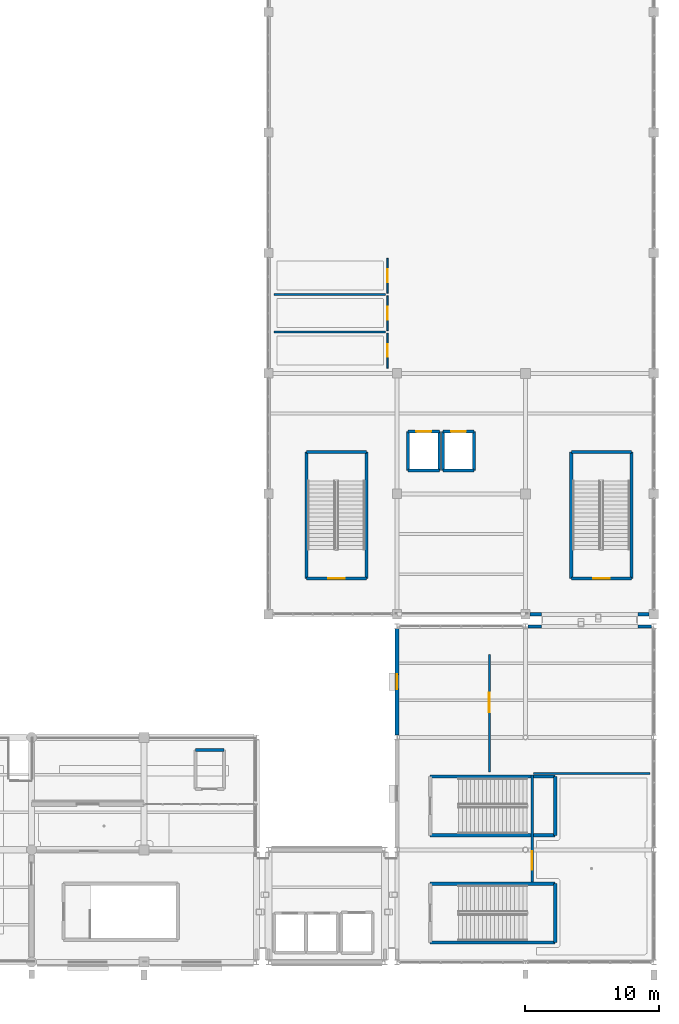
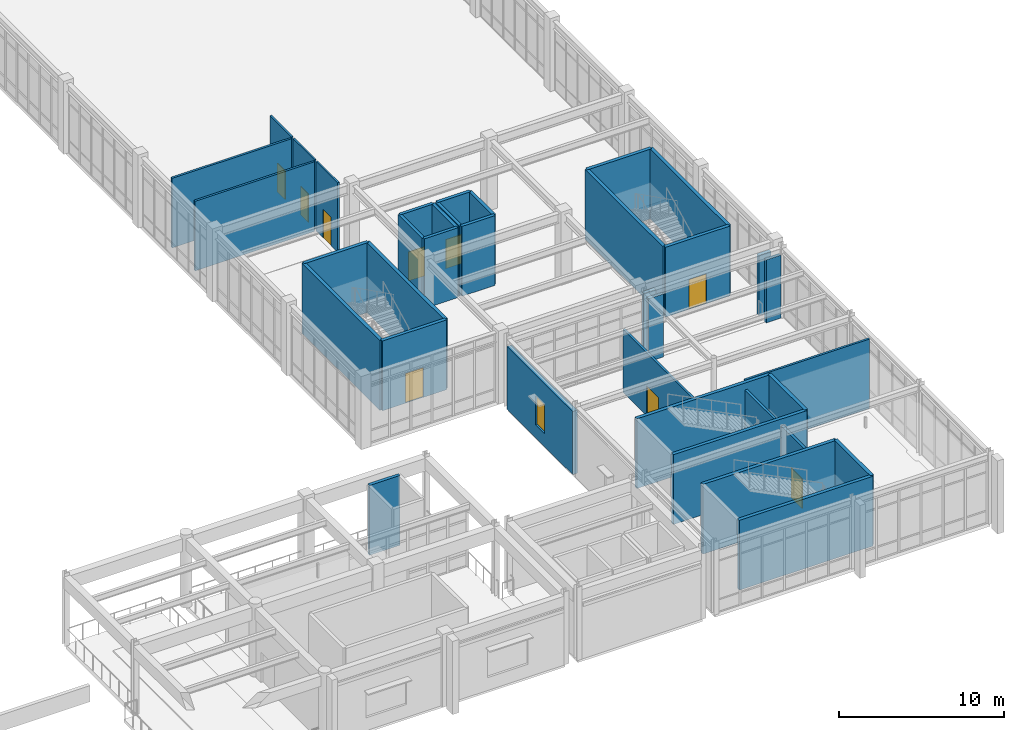
# One storey, part 66 of 80: 36 walls, 9 doors, 1 window, 10 openings.
"""IFC4 building model written with IfcOpenShell, lengths in metres."""

from ifc_helpers import new_model, si_unit, direction, frame, frame_2d, origin, place, context, subcontext, project, spatial, rectangle, extrude, material, layer, layer_set, type_object, element, fill, save


model = new_model("IFC4")

# Units and contexts
model_context = context("Model", 3, precision=1e-05, world=origin(), true_north=direction((0.0, 1.0)))
body_context = subcontext(model_context, "Body", "Model", "MODEL_VIEW")
ifc_project = project(units=[si_unit("LENGTHUNIT", "METRE"), si_unit("AREAUNIT", "SQUARE_METRE"), si_unit("VOLUMEUNIT", "CUBIC_METRE"), si_unit("PLANEANGLEUNIT", "RADIAN"), si_unit("MASSUNIT", "GRAM", prefix="KILO")], contexts=[model_context])

# Site, building, storey
site_placement = place(None, origin())
site = spatial("IfcSite", under=ifc_project, at=site_placement, CompositionType="ELEMENT")
building_placement = place(site_placement, origin())
building = spatial("IfcBuilding", under=site, at=building_placement, Name="Canglan Escarpment Cableway Terminal", CompositionType="ELEMENT")
storey_placement = place(building_placement, frame((0.0, 0.0, 19.199951171875)))
storey = spatial("IfcBuildingStorey", under=building, at=storey_placement, Name="L04", CompositionType="ELEMENT", Elevation=19.199951171875)

# Walls
ifc_material_1 = material(Name="Concrete C40", Category="concrete")
ifc_layer_1 = layer(ifc_material_1, 0.239990234375, Name="Concrete C40")
ifc_layer_set_1 = layer_set([ifc_layer_1], Name="Concrete C40")
wall_type_1 = type_object("IfcWallType", Name="WL-CORE-SHEAR-240", PredefinedType="SHEAR", material=ifc_layer_set_1)
wall_1_placement = place(storey_placement, frame((149.679931640625, 9.47998046875, 0.0), z_axis=(0.0, 0.0, 1.0), x_axis=(1.0, 0.0, 0.0)))
element("IfcWall", 1, at=wall_1_placement, inside=storey, type_object=wall_type_1, Name="Protected stair core wall ST-08 (L04)", PredefinedType="SHEAR", context=body_context, shape_type="SweptSolid", body=[
    extrude(rectangle(XDim=9.340087890625, YDim=0.239990234375, at=frame_2d((4.669921875, 0.0))), origin(), (0.0, 0.0, 1.0), 5.16015625),
])
wall_2_placement = place(storey_placement, frame((159.02001953125, 9.47998046875, 0.0), z_axis=(0.0, 0.0, 1.0), x_axis=(0.0, 1.0, 0.0)))
element("IfcWall", 2, at=wall_2_placement, inside=storey, type_object=wall_type_1, Name="Protected stair core wall ST-08 (L04)", PredefinedType="SHEAR", context=body_context, shape_type="SweptSolid", body=[
    extrude(rectangle(XDim=4.39013671875, YDim=0.239990234375, at=frame_2d((2.195068359375, 0.0))), origin(), (0.0, 0.0, 1.0), 5.16015625),
])
for number, where, z_axis, x_axis, name in (
    (3, (159.02001953125, 13.8701171875, 0.0), (0.0, 0.0, 1.0), (-1.0, 0.0, 0.0), "Protected stair core wall ST-08 (L04)"),
    (4, (149.679931640625, 17.47998046875, 0.0), (0.0, 0.0, 1.0), (1.0, 0.0, 0.0), "Protected stair core wall ST-09 (L04)"),
):
    element("IfcWall", number, at=place(storey_placement, frame(where, z_axis=z_axis, x_axis=x_axis)), inside=storey, type_object=wall_type_1, Name=name, PredefinedType="SHEAR", context=body_context, shape_type="SweptSolid", body=[
        extrude(rectangle(XDim=9.340087890625, YDim=0.239990234375, at=frame_2d((4.669921875, 0.0))), origin(), (0.0, 0.0, 1.0), 5.16015625),
    ])
wall_3_placement = place(storey_placement, frame((159.02001953125, 17.47998046875, 0.0), z_axis=(0.0, 0.0, 1.0), x_axis=(0.0, 1.0, 0.0)))
element("IfcWall", 5, at=wall_3_placement, inside=storey, type_object=wall_type_1, Name="Protected stair core wall ST-09 (L04)", PredefinedType="SHEAR", context=body_context, shape_type="SweptSolid", body=[
    extrude(rectangle(XDim=4.39013671875, YDim=0.239990234375, at=frame_2d((2.195068359375, 0.0))), origin(), (0.0, 0.0, 1.0), 5.16015625),
])
wall_4_placement = place(storey_placement, frame((159.02001953125, 21.8701171875, 0.0), z_axis=(0.0, 0.0, 1.0), x_axis=(-1.0, 0.0, 0.0)))
element("IfcWall", 6, at=wall_4_placement, inside=storey, type_object=wall_type_1, Name="Protected stair core wall ST-09 (L04)", PredefinedType="SHEAR", context=body_context, shape_type="SweptSolid", body=[
    extrude(rectangle(XDim=9.340087890625, YDim=0.239990234375, at=frame_2d((4.669921875, 0.0))), origin(), (0.0, 0.0, 1.0), 5.16015625),
])
wall_5_placement = place(storey_placement, frame((144.919921875, 36.679931640625, 0.0), z_axis=(0.0, 0.0, 1.0), x_axis=(0.0, 1.0, 0.0)))
element("IfcWall", 7, at=wall_5_placement, inside=storey, type_object=wall_type_1, Name="Protected stair core wall ST-13 (L04)", PredefinedType="SHEAR", context=body_context, shape_type="SweptSolid", body=[
    extrude(rectangle(XDim=9.440185546875, YDim=0.239990234375, at=frame_2d((4.72021484375, 0.0))), origin(), (0.0, 0.0, 1.0), 5.16015625),
])
wall_6_placement = place(storey_placement, frame((144.919921875, 46.1201171875, 0.0), z_axis=(0.0, 0.0, 1.0), x_axis=(-1.0, 0.0, 0.0)))
element("IfcWall", 8, at=wall_6_placement, inside=storey, type_object=wall_type_1, Name="Protected stair core wall ST-13 (L04)", PredefinedType="SHEAR", context=body_context, shape_type="SweptSolid", body=[
    extrude(rectangle(XDim=4.489990234375, YDim=0.239990234375, at=frame_2d((2.2451171875, 0.0))), origin(), (0.0, 0.0, 1.0), 5.16015625),
])
wall_7_placement = place(storey_placement, frame((140.429931640625, 46.1201171875, 0.0), z_axis=(0.0, 0.0, 1.0), x_axis=(0.0, -1.0, 0.0)))
element("IfcWall", 9, at=wall_7_placement, inside=storey, type_object=wall_type_1, Name="Protected stair core wall ST-13 (L04)", PredefinedType="SHEAR", context=body_context, shape_type="SweptSolid", body=[
    extrude(rectangle(XDim=9.440185546875, YDim=0.239990234375, at=frame_2d((4.72021484375, 0.0))), origin(), (0.0, 0.0, 1.0), 5.16015625),
])

# Wall, opening, door
wall_8_placement = place(storey_placement, frame((140.429931640625, 36.679931640625, 0.0), z_axis=(0.0, 0.0, 1.0), x_axis=(1.0, 0.0, 0.0)))
wall_8 = element("IfcWall", 10, at=wall_8_placement, inside=storey, type_object=wall_type_1, Name="Protected stair core wall ST-13 (L04)", PredefinedType="SHEAR", context=body_context, shape_type="SweptSolid", body=[
    extrude(rectangle(XDim=4.489990234375, YDim=0.239990234375, at=frame_2d((2.2451171875, 0.0))), origin(), (0.0, 0.0, 1.0), 5.16015625),
])
opening_1_placement = place(wall_8_placement, frame((1.6201171875, 0.0, 0.0)))
opening_1 = element("IfcOpeningElement", 11, at=opening_1_placement, cuts=wall_8, Name="Opening SD-D1", PredefinedType="OPENING", context=body_context, shape_type="SweptSolid", body=[
    extrude(rectangle(XDim=1.25, YDim=2.199951171875, at=frame_2d((0.625, 1.10009765625))), frame((0.0, 0.1298828125, 0.0), z_axis=(0.0, -1.0, 0.0), x_axis=(1.0, 0.0, 0.0)), (0.0, 0.0, 1.0), 0.260009765625),
])
ifc_material_2 = material(Name="Steel fire-resisting stair door", Category="steel")
door_type_1 = type_object("IfcDoorType", Name="DR-STAIR-EI90-1250", OperationType="NOTDEFINED", PredefinedType="DOOR", material=ifc_material_2)
door_1_placement = place(opening_1_placement, origin())
door_1 = element("IfcDoor", 12, at=door_1_placement, inside=storey, type_object=door_type_1, Name="Protected exit stair fire door ST-13 (L04)", OperationType="SINGLE_SWING_LEFT", OverallHeight=2.199951171875, OverallWidth=1.25, PredefinedType="DOOR", context=body_context, shape_type="SweptSolid", body=[
    extrude(rectangle(XDim=1.25, YDim=2.199951171875, at=frame_2d((0.625, 1.10009765625))), frame((0.0, 0.02490234375, 0.0), z_axis=(0.0, -1.0, 0.0), x_axis=(1.0, 0.0, 0.0)), (0.0, 0.0, 1.0), 0.050048828125),
])
fill(opening_1, door_1)

# Walls
wall_9_placement = place(storey_placement, frame((164.719970703125, 36.679931640625, 0.0), z_axis=(0.0, 0.0, 1.0), x_axis=(0.0, 1.0, 0.0)))
element("IfcWall", 13, at=wall_9_placement, inside=storey, type_object=wall_type_1, Name="Protected stair core wall ST-15 (L04)", PredefinedType="SHEAR", context=body_context, shape_type="SweptSolid", body=[
    extrude(rectangle(XDim=9.440185546875, YDim=0.239990234375, at=frame_2d((4.72021484375, 0.0))), origin(), (0.0, 0.0, 1.0), 5.16015625),
])
wall_10_placement = place(storey_placement, frame((164.719970703125, 46.1201171875, 0.0), z_axis=(0.0, 0.0, 1.0), x_axis=(-1.0, 0.0, 0.0)))
element("IfcWall", 14, at=wall_10_placement, inside=storey, type_object=wall_type_1, Name="Protected stair core wall ST-15 (L04)", PredefinedType="SHEAR", context=body_context, shape_type="SweptSolid", body=[
    extrude(rectangle(XDim=4.489990234375, YDim=0.239990234375, at=frame_2d((2.2451171875, 0.0))), origin(), (0.0, 0.0, 1.0), 5.16015625),
])
wall_11_placement = place(storey_placement, frame((160.22998046875, 46.1201171875, 0.0), z_axis=(0.0, 0.0, 1.0), x_axis=(0.0, -1.0, 0.0)))
element("IfcWall", 15, at=wall_11_placement, inside=storey, type_object=wall_type_1, Name="Protected stair core wall ST-15 (L04)", PredefinedType="SHEAR", context=body_context, shape_type="SweptSolid", body=[
    extrude(rectangle(XDim=9.440185546875, YDim=0.239990234375, at=frame_2d((4.72021484375, 0.0))), origin(), (0.0, 0.0, 1.0), 5.16015625),
])

# Wall, opening, door
wall_12_placement = place(storey_placement, frame((160.22998046875, 36.679931640625, 0.0), z_axis=(0.0, 0.0, 1.0), x_axis=(1.0, 0.0, 0.0)))
wall_12 = element("IfcWall", 16, at=wall_12_placement, inside=storey, type_object=wall_type_1, Name="Protected stair core wall ST-15 (L04)", PredefinedType="SHEAR", context=body_context, shape_type="SweptSolid", body=[
    extrude(rectangle(XDim=4.489990234375, YDim=0.239990234375, at=frame_2d((2.2451171875, 0.0))), origin(), (0.0, 0.0, 1.0), 5.16015625),
])
opening_2_placement = place(wall_12_placement, frame((1.6201171875, 0.0, 0.0)))
opening_2 = element("IfcOpeningElement", 17, at=opening_2_placement, cuts=wall_12, Name="Opening SD-D1", PredefinedType="OPENING", context=body_context, shape_type="SweptSolid", body=[
    extrude(rectangle(XDim=1.25, YDim=2.199951171875, at=frame_2d((0.625, 1.10009765625))), frame((0.0, 0.1298828125, 0.0), z_axis=(0.0, -1.0, 0.0), x_axis=(1.0, 0.0, 0.0)), (0.0, 0.0, 1.0), 0.260009765625),
])
door_2_placement = place(opening_2_placement, origin())
door_2 = element("IfcDoor", 18, at=door_2_placement, inside=storey, type_object=door_type_1, Name="Protected exit stair fire door ST-15 (L04)", OperationType="SINGLE_SWING_RIGHT", OverallHeight=2.199951171875, OverallWidth=1.25, PredefinedType="DOOR", context=body_context, shape_type="SweptSolid", body=[
    extrude(rectangle(XDim=1.25, YDim=2.199951171875, at=frame_2d((0.625, 1.10009765625))), frame((0.0, 0.02490234375, 0.0), z_axis=(0.0, -1.0, 0.0), x_axis=(1.0, 0.0, 0.0)), (0.0, 0.0, 1.0), 0.050048828125),
])
fill(opening_2, door_2)

# Wall, opening, window
ifc_material_3 = material(Name="Dressed ashlar limestone on Concrete C40", Category="masonry")
ifc_layer_2 = layer(ifc_material_3, 0.320068359375, Name="Dressed ashlar limestone on Concrete C40")
ifc_layer_set_2 = layer_set([ifc_layer_2], Name="Dressed ashlar limestone on Concrete C40")
wall_type_2 = type_object("IfcWallType", Name="WL-EXT-ASHLAR-320", PredefinedType="STANDARD", material=ifc_layer_set_2)
wall_13_placement = place(storey_placement, frame((147.199951171875, 32.925048828125, 0.0), z_axis=(0.0, 0.0, 1.0), x_axis=(0.0, -1.0, 0.0)))
wall_13 = element("IfcWall", 19, at=wall_13_placement, inside=storey, type_object=wall_type_2, Name="Classical stone-faced exterior wall EW-FB5-L04-W-03", PredefinedType="STANDARD", context=body_context, shape_type="SweptSolid", body=[
    extrude(rectangle(XDim=7.949951171875, YDim=0.320068359375, at=frame_2d((3.97509765625, 0.0))), origin(), (0.0, 0.0, 1.0), 4.656982421875),
])
opening_3_placement = place(wall_13_placement, frame((3.425048828125, 0.0, 0.949951171875)))
opening_3 = element("IfcOpeningElement", 20, at=opening_3_placement, cuts=wall_13, Name="Opening W-04", PredefinedType="OPENING", context=body_context, shape_type="SweptSolid", body=[
    extrude(rectangle(XDim=1.10009765625, YDim=2.14990234375, at=frame_2d((0.550048828125, 1.074951171875))), frame((0.0, 0.169921875, 0.0), z_axis=(0.0, -1.0, 0.0), x_axis=(1.0, 0.0, 0.0)), (0.0, 0.0, 1.0), 0.340087890625),
])
ifc_material_4 = material(Name="Anodized bronze aluminium and Low-E double glazing", Category="aluminium")
window_type = type_object("IfcWindowType", Name="WIN-EXT-04", PartitioningType="SINGLE_PANEL", PredefinedType="WINDOW", material=ifc_material_4)
window_placement = place(opening_3_placement, origin())
window = element("IfcWindow", 21, at=window_placement, inside=storey, type_object=window_type, Name="Classical module window W-04", OverallHeight=2.14990234375, OverallWidth=1.10009765625, PartitioningType="SINGLE_PANEL", PredefinedType="WINDOW", context=body_context, shape_type="SweptSolid", body=[
    extrude(rectangle(XDim=1.10009765625, YDim=2.14990234375, at=frame_2d((0.550048828125, 1.074951171875))), frame((0.0, 0.030029296875, 0.0), z_axis=(0.0, -1.0, 0.0), x_axis=(1.0, 0.0, 0.0)), (0.0, 0.0, 1.0), 0.06005859375),
])
fill(opening_3, window)

# Walls
ifc_material_5 = material(Name="Insulated stone-faced spandrel wall", Category="masonry")
ifc_layer_3 = layer(ifc_material_5, 0.22998046875, Name="Insulated stone-faced spandrel wall")
ifc_layer_set_3 = layer_set([ifc_layer_3], Name="Insulated stone-faced spandrel wall")
wall_type_3 = type_object("IfcWallType", Name="WL-EXT-LINK-230", PredefinedType="STANDARD", material=ifc_layer_set_3)
wall_14_placement = place(storey_placement, frame((156.97509765625, 33.10009765625, 0.0), z_axis=(0.0, 0.0, 1.0), x_axis=(1.0, 0.0, 0.0)))
element("IfcWall", 22, at=wall_14_placement, inside=storey, type_object=wall_type_3, Name="Classical stone-faced exterior wall EW-FB5-L04-N-02-FL1", PredefinedType="STANDARD", context=body_context, shape_type="SweptSolid", body=[
    extrude(rectangle(XDim=1.02490234375, YDim=0.22998046875, at=frame_2d((0.512451171875, 0.0))), origin(), (0.0, 0.0, 1.0), 4.656982421875),
])
wall_15_placement = place(storey_placement, frame((165.199951171875, 33.10009765625, 0.0), z_axis=(0.0, 0.0, 1.0), x_axis=(1.0, 0.0, 0.0)))
element("IfcWall", 23, at=wall_15_placement, inside=storey, type_object=wall_type_3, Name="Classical stone-faced exterior wall EW-FB5-L04-N-02-FL2", PredefinedType="STANDARD", context=body_context, shape_type="SweptSolid", body=[
    extrude(rectangle(XDim=1.025146484375, YDim=0.22998046875, at=frame_2d((0.5126953125, 0.0))), origin(), (0.0, 0.0, 1.0), 4.656982421875),
])
for number, where, z_axis, x_axis, name in (
    (24, (157.14990234375, 34.0, 0.0), (0.0, 0.0, 1.0), (1.0, 0.0, 0.0), "Classical stone-faced exterior wall EW-FB9-L04-S-03-FL1"),
    (25, (165.199951171875, 34.0, 0.0), (0.0, 0.0, 1.0), (1.0, 0.0, 0.0), "Classical stone-faced exterior wall EW-FB9-L04-S-03-FL2"),
):
    element("IfcWall", number, at=place(storey_placement, frame(where, z_axis=z_axis, x_axis=x_axis)), inside=storey, type_object=wall_type_3, Name=name, PredefinedType="STANDARD", context=body_context, shape_type="SweptSolid", body=[
        extrude(rectangle(XDim=0.85009765625, YDim=0.22998046875, at=frame_2d((0.425048828125, 0.0))), origin(), (0.0, 0.0, 1.0), 4.445068359375),
    ])

# Wall, opening, door
ifc_material_6 = material(Name="Autoclaved aerated concrete blockwork", Category="masonry")
ifc_layer_4 = layer(ifc_material_6, 0.179931640625, Name="Autoclaved aerated concrete blockwork")
ifc_layer_set_4 = layer_set([ifc_layer_4], Name="Autoclaved aerated concrete blockwork")
wall_type_4 = type_object("IfcWallType", Name="WL-INT-FIRE-180-EI60", PredefinedType="PARTITIONING", material=ifc_layer_set_4)
wall_16_placement = place(storey_placement, frame((157.300048828125, 14.0, 0.0), z_axis=(0.0, 0.0, 1.0), x_axis=(0.0, 1.0, 0.0)))
wall_16 = element("IfcWall", 26, at=wall_16_placement, inside=storey, type_object=wall_type_4, Name="Interior partition wall IW-L04-07-MAIN", PredefinedType="PARTITIONING", context=body_context, shape_type="SweptSolid", body=[
    extrude(rectangle(XDim=8.0, YDim=0.179931640625, at=frame_2d((4.0, 0.0))), origin(), (0.0, 0.0, 1.0), 4.656982421875),
])
opening_4_placement = place(wall_16_placement, frame((0.925048828125, 0.0, 0.0)))
opening_4 = element("IfcOpeningElement", 27, at=opening_4_placement, cuts=wall_16, Name="Opening ID-15", PredefinedType="OPENING", context=body_context, shape_type="SweptSolid", body=[
    extrude(rectangle(XDim=1.35009765625, YDim=2.199951171875, at=frame_2d((0.675048828125, 1.10009765625))), frame((0.0, 0.10009765625, 0.0), z_axis=(0.0, -1.0, 0.0), x_axis=(1.0, 0.0, 0.0)), (0.0, 0.0, 1.0), 0.199951171875),
])
ifc_material_7 = material(Name="Stained oak and safety glass door", Category="glass")
door_type_2 = type_object("IfcDoorType", Name="DR-INT-ID-15", OperationType="NOTDEFINED", PredefinedType="DOOR", material=ifc_material_7)
door_3_placement = place(opening_4_placement, origin())
door_3 = element("IfcDoor", 28, at=door_3_placement, inside=storey, type_object=door_type_2, Name="Commercial Kitchen door ID-15", OperationType="SINGLE_SWING_RIGHT", OverallHeight=2.199951171875, OverallWidth=1.35009765625, PredefinedType="DOOR", context=body_context, shape_type="SweptSolid", body=[
    extrude(rectangle(XDim=1.35009765625, YDim=2.199951171875, at=frame_2d((0.675048828125, 1.10009765625))), frame((0.0, 0.02490234375, 0.0), z_axis=(0.0, -1.0, 0.0), x_axis=(1.0, 0.0, 0.0)), (0.0, 0.0, 1.0), 0.050048828125),
])
fill(opening_4, door_3)

ifc_material_8 = material(Name="Moisture-resistant tile-faced partition", Category="gypsum")
ifc_layer_5 = layer(ifc_material_8, 0.1201171875, Name="Moisture-resistant tile-faced partition")
ifc_layer_set_5 = layer_set([ifc_layer_5], Name="Moisture-resistant tile-faced partition")
wall_type_5 = type_object("IfcWallType", Name="WL-INT-PART-120", PredefinedType="PARTITIONING", material=ifc_layer_set_5)
wall_17_placement = place(storey_placement, frame((146.5, 52.39990234375, 0.0), z_axis=(0.0, 0.0, 1.0), x_axis=(0.0, 1.0, 0.0)))
wall_17 = element("IfcWall", 29, at=wall_17_placement, inside=storey, type_object=wall_type_5, Name="Interior partition wall IW-L04-09-MAIN", PredefinedType="PARTITIONING", context=body_context, shape_type="SweptSolid", body=[
    extrude(rectangle(XDim=2.60009765625, YDim=0.1201171875, at=frame_2d((1.300048828125, 0.0))), origin(), (0.0, 0.0, 1.0), 5.14501953125),
])
opening_5_placement = place(wall_17_placement, frame((0.824951171875, 0.0, 0.0)))
opening_5 = element("IfcOpeningElement", 30, at=opening_5_placement, cuts=wall_17, Name="Opening ID-01", PredefinedType="OPENING", context=body_context, shape_type="SweptSolid", body=[
    extrude(rectangle(XDim=0.949951171875, YDim=2.1201171875, at=frame_2d((0.47509765625, 1.06005859375))), frame((0.0, 0.070068359375, 0.0), z_axis=(0.0, -1.0, 0.0), x_axis=(1.0, 0.0, 0.0)), (0.0, 0.0, 1.0), 0.14013671875),
])
door_type_3 = type_object("IfcDoorType", Name="DR-INT-ID-01", OperationType="NOTDEFINED", PredefinedType="DOOR", material=ifc_material_7)
door_4_placement = place(opening_5_placement, origin())
door_4 = element("IfcDoor", 31, at=door_4_placement, inside=storey, type_object=door_type_3, Name="Accessible WC door ID-01", OperationType="SINGLE_SWING_LEFT", OverallHeight=2.1201171875, OverallWidth=0.949951171875, PredefinedType="DOOR", context=body_context, shape_type="SweptSolid", body=[
    extrude(rectangle(XDim=0.949951171875, YDim=2.1201171875, at=frame_2d((0.47509765625, 1.06005859375))), frame((0.0, 0.02490234375, 0.0), z_axis=(0.0, -1.0, 0.0), x_axis=(1.0, 0.0, 0.0)), (0.0, 0.0, 1.0), 0.050048828125),
])
fill(opening_5, door_4)

wall_18_placement = place(storey_placement, frame((146.5, 55.199951171875, 0.0), z_axis=(0.0, 0.0, 1.0), x_axis=(0.0, 1.0, 0.0)))
wall_18 = element("IfcWall", 32, at=wall_18_placement, inside=storey, type_object=wall_type_5, Name="Interior partition wall IW-L04-10-MAIN", PredefinedType="PARTITIONING", context=body_context, shape_type="SweptSolid", body=[
    extrude(rectangle(XDim=2.60009765625, YDim=0.1201171875, at=frame_2d((1.300048828125, 0.0))), origin(), (0.0, 0.0, 1.0), 5.14501953125),
])
opening_6_placement = place(wall_18_placement, frame((0.824951171875, 0.0, 0.0)))
opening_6 = element("IfcOpeningElement", 33, at=opening_6_placement, cuts=wall_18, Name="Opening ID-01", PredefinedType="OPENING", context=body_context, shape_type="SweptSolid", body=[
    extrude(rectangle(XDim=0.949951171875, YDim=2.1201171875, at=frame_2d((0.47509765625, 1.06005859375))), frame((0.0, 0.070068359375, 0.0), z_axis=(0.0, -1.0, 0.0), x_axis=(1.0, 0.0, 0.0)), (0.0, 0.0, 1.0), 0.14013671875),
])
door_5_placement = place(opening_6_placement, origin())
door_5 = element("IfcDoor", 34, at=door_5_placement, inside=storey, type_object=door_type_3, Name="Male WC door ID-01", OperationType="SINGLE_SWING_RIGHT", OverallHeight=2.1201171875, OverallWidth=0.949951171875, PredefinedType="DOOR", context=body_context, shape_type="SweptSolid", body=[
    extrude(rectangle(XDim=0.949951171875, YDim=2.1201171875, at=frame_2d((0.47509765625, 1.06005859375))), frame((0.0, 0.02490234375, 0.0), z_axis=(0.0, -1.0, 0.0), x_axis=(1.0, 0.0, 0.0)), (0.0, 0.0, 1.0), 0.050048828125),
])
fill(opening_6, door_5)

wall_19_placement = place(storey_placement, frame((146.5, 58.0, 0.0), z_axis=(0.0, 0.0, 1.0), x_axis=(0.0, 1.0, 0.0)))
wall_19 = element("IfcWall", 35, at=wall_19_placement, inside=storey, type_object=wall_type_5, Name="Interior partition wall IW-L04-11-MAIN", PredefinedType="PARTITIONING", context=body_context, shape_type="SweptSolid", body=[
    extrude(rectangle(XDim=2.60009765625, YDim=0.1201171875, at=frame_2d((1.300048828125, 0.0))), origin(), (0.0, 0.0, 1.0), 5.14501953125),
])
opening_7_placement = place(wall_19_placement, frame((0.824951171875, 0.0, 0.0)))
opening_7 = element("IfcOpeningElement", 36, at=opening_7_placement, cuts=wall_19, Name="Opening ID-01", PredefinedType="OPENING", context=body_context, shape_type="SweptSolid", body=[
    extrude(rectangle(XDim=0.949951171875, YDim=2.1201171875, at=frame_2d((0.47509765625, 1.06005859375))), frame((0.0, 0.070068359375, 0.0), z_axis=(0.0, -1.0, 0.0), x_axis=(1.0, 0.0, 0.0)), (0.0, 0.0, 1.0), 0.14013671875),
])
door_6_placement = place(opening_7_placement, origin())
door_6 = element("IfcDoor", 37, at=door_6_placement, inside=storey, type_object=door_type_3, Name="Female WC door ID-01", OperationType="SINGLE_SWING_LEFT", OverallHeight=2.1201171875, OverallWidth=0.949951171875, PredefinedType="DOOR", context=body_context, shape_type="SweptSolid", body=[
    extrude(rectangle(XDim=0.949951171875, YDim=2.1201171875, at=frame_2d((0.47509765625, 1.06005859375))), frame((0.0, 0.02490234375, 0.0), z_axis=(0.0, -1.0, 0.0), x_axis=(1.0, 0.0, 0.0)), (0.0, 0.0, 1.0), 0.050048828125),
])
fill(opening_7, door_6)

ifc_material_9 = material(Name="Acoustic double-stud gypsum partition", Category="gypsum")
ifc_layer_6 = layer(ifc_material_9, 0.14990234375, Name="Acoustic double-stud gypsum partition")
ifc_layer_set_6 = layer_set([ifc_layer_6], Name="Acoustic double-stud gypsum partition")
wall_type_6 = type_object("IfcWallType", Name="WL-INT-PART-150", PredefinedType="PARTITIONING", material=ifc_layer_set_6)
wall_20_placement = place(storey_placement, frame((154.10009765625, 22.199951171875, 0.0), z_axis=(0.0, 0.0, 1.0), x_axis=(0.0, 1.0, 0.0)))
wall_20 = element("IfcWall", 38, at=wall_20_placement, inside=storey, type_object=wall_type_6, Name="Interior partition wall IW-L04-06-MAIN", PredefinedType="PARTITIONING", context=body_context, shape_type="SweptSolid", body=[
    extrude(rectangle(XDim=8.800048828125, YDim=0.14990234375, at=frame_2d((4.39990234375, 0.0))), origin(), (0.0, 0.0, 1.0), 4.656982421875),
])
opening_8_placement = place(wall_20_placement, frame((4.47509765625, 0.0, 0.0)))
opening_8 = element("IfcOpeningElement", 39, at=opening_8_placement, cuts=wall_20, Name="Opening ID-19", PredefinedType="OPENING", context=body_context, shape_type="SweptSolid", body=[
    extrude(rectangle(XDim=1.449951171875, YDim=2.219970703125, at=frame_2d((0.72509765625, 1.10986328125))), frame((0.0, 0.0849609375, 0.0), z_axis=(0.0, -1.0, 0.0), x_axis=(1.0, 0.0, 0.0)), (0.0, 0.0, 1.0), 0.169921875),
])
door_type_4 = type_object("IfcDoorType", Name="DR-INT-ID-19", OperationType="NOTDEFINED", PredefinedType="DOOR", material=ifc_material_7)
door_7_placement = place(opening_8_placement, origin())
door_7 = element("IfcDoor", 40, at=door_7_placement, inside=storey, type_object=door_type_4, Name="Viewing Restaurant door ID-19", OperationType="DOUBLE_DOOR_SINGLE_SWING", OverallHeight=2.219970703125, OverallWidth=1.449951171875, PredefinedType="DOOR", context=body_context, shape_type="SweptSolid", body=[
    extrude(rectangle(XDim=1.449951171875, YDim=2.219970703125, at=frame_2d((0.72509765625, 1.10986328125))), frame((0.0, 0.02490234375, 0.0), z_axis=(0.0, -1.0, 0.0), x_axis=(1.0, 0.0, 0.0)), (0.0, 0.0, 1.0), 0.050048828125),
])
fill(opening_8, door_7)

# Walls
wall_21_placement = place(storey_placement, frame((157.39990234375, 22.10009765625, 0.0), z_axis=(0.0, 0.0, 1.0), x_axis=(1.0, 0.0, 0.0)))
element("IfcWall", 41, at=wall_21_placement, inside=storey, type_object=wall_type_6, Name="Interior partition wall IW-L04-07-SIDE", PredefinedType="PARTITIONING", context=body_context, shape_type="SweptSolid", body=[
    extrude(rectangle(XDim=8.7001953125, YDim=0.14990234375, at=frame_2d((4.35009765625, 0.0))), origin(), (0.0, 0.0, 1.0), 5.14501953125),
])
for number, where, z_axis, x_axis, name in (
    (42, (138.0, 55.10009765625, 0.0), (0.0, 0.0, 1.0), (1.0, 0.0, 0.0), "Interior partition wall IW-L04-10-SIDE"),
    (43, (138.0, 57.89990234375, 0.0), (0.0, 0.0, 1.0), (1.0, 0.0, 0.0), "Interior partition wall IW-L04-11-SIDE"),
):
    element("IfcWall", number, at=place(storey_placement, frame(where, z_axis=z_axis, x_axis=x_axis)), inside=storey, type_object=wall_type_6, Name=name, PredefinedType="PARTITIONING", context=body_context, shape_type="SweptSolid", body=[
        extrude(rectangle(XDim=8.35009765625, YDim=0.14990234375, at=frame_2d((4.175048828125, 0.0))), origin(), (0.0, 0.0, 1.0), 5.14501953125),
    ])
ifc_layer_7 = layer(ifc_material_1, 0.219970703125, Name="Concrete C40")
ifc_layer_set_7 = layer_set([ifc_layer_7], Name="Concrete C40")
wall_type_7 = type_object("IfcWallType", Name="WL-SHAFT-SHEAR-220", PredefinedType="SHEAR", material=ifc_layer_set_7)
wall_22_placement = place(storey_placement, frame((148.0400390625, 44.739990234375, 0.0), z_axis=(0.0, 0.0, 1.0), x_axis=(1.0, 0.0, 0.0)))
element("IfcWall", 44, at=wall_22_placement, inside=storey, type_object=wall_type_7, Name="Elevator core shaft wall LF-03 (L04)", PredefinedType="SHEAR", context=body_context, shape_type="SweptSolid", body=[
    extrude(rectangle(XDim=2.320068359375, YDim=0.219970703125, at=frame_2d((1.16015625, 0.0))), origin(), (0.0, 0.0, 1.0), 5.16015625),
])
wall_23_placement = place(storey_placement, frame((150.360107421875, 44.739990234375, 0.0), z_axis=(0.0, 0.0, 1.0), x_axis=(0.0, 1.0, 0.0)))
element("IfcWall", 45, at=wall_23_placement, inside=storey, type_object=wall_type_7, Name="Elevator core shaft wall LF-03 (L04)", PredefinedType="SHEAR", context=body_context, shape_type="SweptSolid", body=[
    extrude(rectangle(XDim=2.919921875, YDim=0.219970703125, at=frame_2d((1.4599609375, 0.0))), origin(), (0.0, 0.0, 1.0), 5.16015625),
])

# Wall, opening, door
wall_24_placement = place(storey_placement, frame((150.360107421875, 47.659912109375, 0.0), z_axis=(0.0, 0.0, 1.0), x_axis=(-1.0, 0.0, 0.0)))
wall_24 = element("IfcWall", 46, at=wall_24_placement, inside=storey, type_object=wall_type_7, Name="Elevator core shaft wall LF-03 (L04)", PredefinedType="SHEAR", context=body_context, shape_type="SweptSolid", body=[
    extrude(rectangle(XDim=2.320068359375, YDim=0.219970703125, at=frame_2d((1.16015625, 0.0))), origin(), (0.0, 0.0, 1.0), 5.16015625),
])
opening_9_placement = place(wall_24_placement, frame((0.610107421875, 0.0, 0.0)))
opening_9 = element("IfcOpeningElement", 47, at=opening_9_placement, cuts=wall_24, Name="Opening LD-01", PredefinedType="OPENING", context=body_context, shape_type="SweptSolid", body=[
    extrude(rectangle(XDim=1.10009765625, YDim=2.14990234375, at=frame_2d((0.550048828125, 1.074951171875))), frame((0.0, 0.1201171875, 0.0), z_axis=(0.0, -1.0, 0.0), x_axis=(1.0, 0.0, 0.0)), (0.0, 0.0, 1.0), 0.239990234375),
])
ifc_material_10 = material(Name="Brushed stainless steel lift landing door", Category="steel")
door_type_5 = type_object("IfcDoorType", Name="DR-LIFT-SLIDE-1100", OperationType="DOUBLE_DOOR_SLIDING", PredefinedType="DOOR", material=ifc_material_10)
door_8_placement = place(opening_9_placement, origin())
door_8 = element("IfcDoor", 48, at=door_8_placement, inside=storey, type_object=door_type_5, Name="Elevator sliding landing door LF-03 (L04)", OperationType="DOUBLE_DOOR_SLIDING", OverallHeight=2.14990234375, OverallWidth=1.10009765625, PredefinedType="DOOR", context=body_context, shape_type="SweptSolid", body=[
    extrude(rectangle(XDim=1.10009765625, YDim=2.14990234375, at=frame_2d((0.550048828125, 1.074951171875))), frame((0.0, 0.02490234375, 0.0), z_axis=(0.0, -1.0, 0.0), x_axis=(1.0, 0.0, 0.0)), (0.0, 0.0, 1.0), 0.050048828125),
])
fill(opening_9, door_8)

# Walls
wall_25_placement = place(storey_placement, frame((148.0400390625, 47.659912109375, 0.0), z_axis=(0.0, 0.0, 1.0), x_axis=(0.0, -1.0, 0.0)))
element("IfcWall", 49, at=wall_25_placement, inside=storey, type_object=wall_type_7, Name="Elevator core shaft wall LF-03 (L04)", PredefinedType="SHEAR", context=body_context, shape_type="SweptSolid", body=[
    extrude(rectangle(XDim=2.919921875, YDim=0.219970703125, at=frame_2d((1.4599609375, 0.0))), origin(), (0.0, 0.0, 1.0), 5.16015625),
])
wall_26_placement = place(storey_placement, frame((150.639892578125, 44.739990234375, 0.0), z_axis=(0.0, 0.0, 1.0), x_axis=(1.0, 0.0, 0.0)))
element("IfcWall", 50, at=wall_26_placement, inside=storey, type_object=wall_type_7, Name="Elevator core shaft wall LF-04 (L04)", PredefinedType="SHEAR", context=body_context, shape_type="SweptSolid", body=[
    extrude(rectangle(XDim=2.320068359375, YDim=0.219970703125, at=frame_2d((1.16015625, 0.0))), origin(), (0.0, 0.0, 1.0), 5.16015625),
])
wall_27_placement = place(storey_placement, frame((152.9599609375, 44.739990234375, 0.0), z_axis=(0.0, 0.0, 1.0), x_axis=(0.0, 1.0, 0.0)))
element("IfcWall", 51, at=wall_27_placement, inside=storey, type_object=wall_type_7, Name="Elevator core shaft wall LF-04 (L04)", PredefinedType="SHEAR", context=body_context, shape_type="SweptSolid", body=[
    extrude(rectangle(XDim=2.919921875, YDim=0.219970703125, at=frame_2d((1.4599609375, 0.0))), origin(), (0.0, 0.0, 1.0), 5.16015625),
])

# Wall, opening, door
wall_28_placement = place(storey_placement, frame((152.9599609375, 47.659912109375, 0.0), z_axis=(0.0, 0.0, 1.0), x_axis=(-1.0, 0.0, 0.0)))
wall_28 = element("IfcWall", 52, at=wall_28_placement, inside=storey, type_object=wall_type_7, Name="Elevator core shaft wall LF-04 (L04)", PredefinedType="SHEAR", context=body_context, shape_type="SweptSolid", body=[
    extrude(rectangle(XDim=2.320068359375, YDim=0.219970703125, at=frame_2d((1.16015625, 0.0))), origin(), (0.0, 0.0, 1.0), 5.16015625),
])
opening_10_placement = place(wall_28_placement, frame((0.610107421875, 0.0, 0.0)))
opening_10 = element("IfcOpeningElement", 53, at=opening_10_placement, cuts=wall_28, Name="Opening LD-01", PredefinedType="OPENING", context=body_context, shape_type="SweptSolid", body=[
    extrude(rectangle(XDim=1.10009765625, YDim=2.14990234375, at=frame_2d((0.550048828125, 1.074951171875))), frame((0.0, 0.1201171875, 0.0), z_axis=(0.0, -1.0, 0.0), x_axis=(1.0, 0.0, 0.0)), (0.0, 0.0, 1.0), 0.239990234375),
])
door_9_placement = place(opening_10_placement, origin())
door_9 = element("IfcDoor", 54, at=door_9_placement, inside=storey, type_object=door_type_5, Name="Elevator sliding landing door LF-04 (L04)", OperationType="DOUBLE_DOOR_SLIDING", OverallHeight=2.14990234375, OverallWidth=1.10009765625, PredefinedType="DOOR", context=body_context, shape_type="SweptSolid", body=[
    extrude(rectangle(XDim=1.10009765625, YDim=2.14990234375, at=frame_2d((0.550048828125, 1.074951171875))), frame((0.0, 0.02490234375, 0.0), z_axis=(0.0, -1.0, 0.0), x_axis=(1.0, 0.0, 0.0)), (0.0, 0.0, 1.0), 0.050048828125),
])
fill(opening_10, door_9)

# Walls
wall_29_placement = place(storey_placement, frame((150.639892578125, 47.659912109375, 0.0), z_axis=(0.0, 0.0, 1.0), x_axis=(0.0, -1.0, 0.0)))
element("IfcWall", 55, at=wall_29_placement, inside=storey, type_object=wall_type_7, Name="Elevator core shaft wall LF-04 (L04)", PredefinedType="SHEAR", context=body_context, shape_type="SweptSolid", body=[
    extrude(rectangle(XDim=2.919921875, YDim=0.219970703125, at=frame_2d((1.4599609375, 0.0))), origin(), (0.0, 0.0, 1.0), 5.16015625),
])
wall_30_placement = place(storey_placement, frame((134.260009765625, 23.860107421875, 0.0), z_axis=(0.0, 0.0, 1.0), x_axis=(-1.0, 0.0, 0.0)))
element("IfcWall", 56, at=wall_30_placement, inside=storey, type_object=wall_type_7, Name="Elevator core shaft wall LF-06 (L04)", PredefinedType="SHEAR", context=body_context, shape_type="SweptSolid", body=[
    extrude(rectangle(XDim=2.1201171875, YDim=0.219970703125, at=frame_2d((1.06005859375, 0.0))), origin(), (0.0, 0.0, 1.0), 5.16015625),
])

save(model, "model.ifc")
